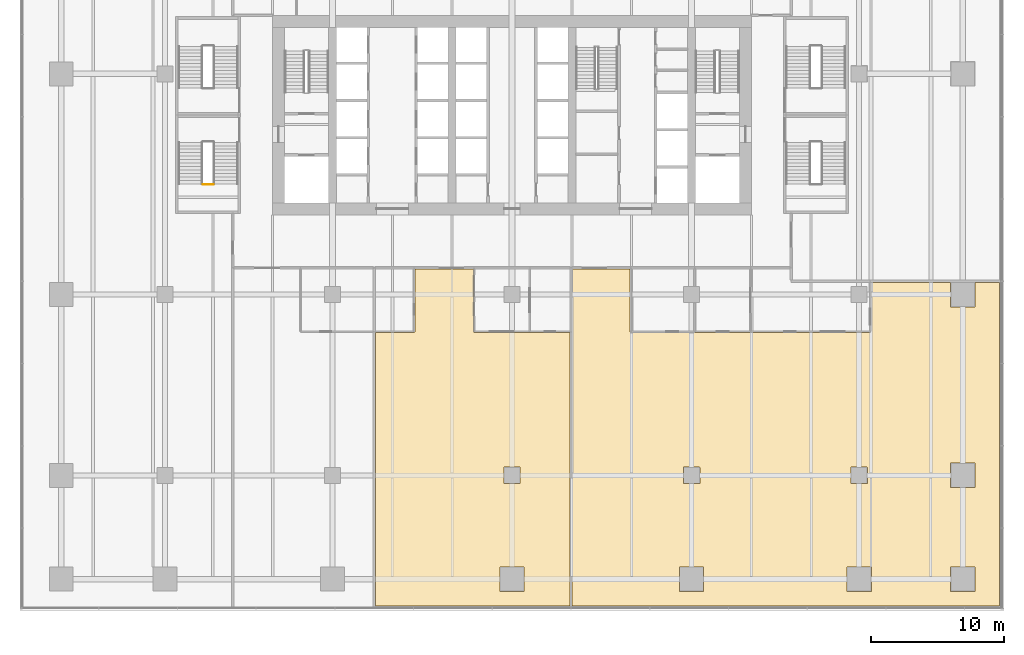
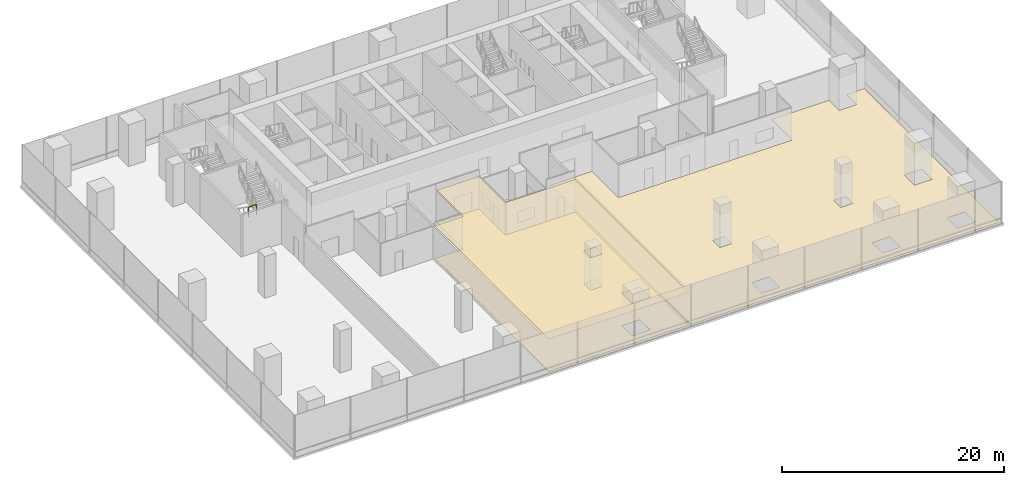
# One storey, part 24 of 29: 3 coverings, 1 railing.
"""IFC4 building model written with IfcOpenShell, lengths in metres."""

from ifc_helpers import new_model, si_unit, direction, frame, origin, origin_2d, place, context, subcontext, project, spatial, polyline, rectangle, outline, extrude, material, layer, layer_set, type_object, element, save


model = new_model("IFC4")

# Units and contexts
model_context = context("Model", 3, precision=1e-05, world=origin(), true_north=direction((0.0, 1.0)))
body_context = subcontext(model_context, "Body", "Model", "MODEL_VIEW")
ifc_project = project(units=[si_unit("LENGTHUNIT", "METRE"), si_unit("AREAUNIT", "SQUARE_METRE"), si_unit("VOLUMEUNIT", "CUBIC_METRE"), si_unit("PLANEANGLEUNIT", "RADIAN"), si_unit("MASSUNIT", "GRAM", prefix="KILO")], contexts=[model_context])

# Site, building, storey
site_placement = place(None, origin())
site = spatial("IfcSite", under=ifc_project, at=site_placement, CompositionType="ELEMENT")
building_placement = place(site_placement, origin())
building = spatial("IfcBuilding", under=site, at=building_placement, Name="Rattan Terrace Tower", CompositionType="ELEMENT")
storey_placement = place(building_placement, frame((0.0, 0.0, 12.60009765625)))
storey = spatial("IfcBuildingStorey", under=building, at=storey_placement, Name="L02", CompositionType="ELEMENT", Elevation=12.60009765625)

# Railing
ifc_material_1 = material(Name="Powder-coated steel guard", Category="steel")
railing_type = type_object("IfcRailingType", Name="Core stair guard", PredefinedType="GUARDRAIL", material=ifc_material_1)
railing_placement = place(storey_placement, frame((-23.25, -5.219970703125, 2.39990234375)))
element("IfcRailing", 1, at=railing_placement, inside=storey, type_object=railing_type, Name="L02 S4 stair guard 2", PredefinedType="GUARDRAIL", context=body_context, shape_type="SweptSolid", body=[
    extrude(rectangle(XDim=0.048095703125, YDim=0.048095703125, at=origin_2d()), frame((0.0, 0.0, 1.076171875), z_axis=(1.0, 0.0, 0.0), x_axis=(0.0, 1.0, 0.0)), (0.0, 0.0, 1.0), 0.800048828125),
    extrude(rectangle(XDim=0.0419921875, YDim=0.0419921875, at=origin_2d()), origin(), (0.0, 0.0, 1.0), 1.052001953125),
    extrude(rectangle(XDim=0.0419921875, YDim=0.0419921875, at=origin_2d()), frame((0.800048828125, 0.0, 0.0)), (0.0, 0.0, 1.0), 1.052001953125),
])

# Coverings
ifc_material_2 = material(Name="Polished limestone", Category="masonry")
ifc_layer_1 = layer(ifc_material_2, 0.02001953125)
ifc_layer_set_1 = layer_set([ifc_layer_1], Name="Lobby Floor Finish Stone 20")
covering_type_1 = type_object("IfcCoveringType", Name="Lobby Floor Finish Stone 20", PredefinedType="FLOORING", material=ifc_layer_set_1)
covering_1_placement = place(storey_placement, origin())
element("IfcCovering", 2, at=covering_1_placement, inside=storey, type_object=covering_type_1, Name="Floor finish L02-112", PredefinedType="FLOORING", context=body_context, shape_type="SweptSolid", body=[
    extrude(outline(polyline([(-10.27001953125, -16.35009765625), (-10.27001953125, -36.909912109375), (4.35009765625, -36.909912109375), (4.35009765625, -16.35009765625), (-2.860107421875, -16.35009765625), (-2.860107421875, -16.300048828125), (-2.909912109375, -16.300048828125), (-2.909912109375, -11.574951171875), (-7.31005859375, -11.574951171875), (-7.31005859375, -16.300048828125), (-7.360107421875, -16.300048828125), (-7.360107421875, -16.35009765625), (-10.27001953125, -16.35009765625)]), holes=[polyline([(-0.9140625, -33.986083984375), (-0.916015625, -33.987060546875), (-0.9169921875, -33.989013671875), (-0.91796875, -33.989990234375), (-0.9189453125, -33.991943359375), (-0.9189453125, -33.993896484375), (-0.919921875, -33.99609375), (-0.919921875, -33.998046875), (-0.919921875, -34.0), (-0.919921875, -35.800048828125), (-0.919921875, -35.802001953125), (-0.919921875, -35.803955078125), (-0.9189453125, -35.805908203125), (-0.9189453125, -35.80810546875), (-0.91796875, -35.81005859375), (-0.9169921875, -35.81103515625), (-0.916015625, -35.81298828125), (-0.9140625, -35.81396484375), (-0.9130859375, -35.81591796875), (-0.910888671875, -35.81689453125), (-0.909912109375, -35.818115234375), (-0.907958984375, -35.819091796875), (-0.906005859375, -35.819091796875), (-0.904052734375, -35.820068359375), (-0.902099609375, -35.820068359375), (-0.89990234375, -35.820068359375), (0.89990234375, -35.820068359375), (0.902099609375, -35.820068359375), (0.904052734375, -35.820068359375), (0.906005859375, -35.819091796875), (0.907958984375, -35.819091796875), (0.909912109375, -35.818115234375), (0.910888671875, -35.81689453125), (0.9130859375, -35.81591796875), (0.9140625, -35.81396484375), (0.916015625, -35.81298828125), (0.9169921875, -35.81103515625), (0.91796875, -35.81005859375), (0.9189453125, -35.80810546875), (0.9189453125, -35.805908203125), (0.919921875, -35.803955078125), (0.919921875, -35.802001953125), (0.919921875, -35.800048828125), (0.919921875, -34.0), (0.919921875, -33.998046875), (0.919921875, -33.99609375), (0.9189453125, -33.993896484375), (0.9189453125, -33.991943359375), (0.91796875, -33.989990234375), (0.9169921875, -33.989013671875), (0.916015625, -33.987060546875), (0.9140625, -33.986083984375), (0.9130859375, -33.98388671875), (0.910888671875, -33.98291015625), (0.909912109375, -33.98193359375), (0.907958984375, -33.98095703125), (0.906005859375, -33.98095703125), (0.904052734375, -33.97998046875), (0.902099609375, -33.97998046875), (0.89990234375, -33.97998046875), (-0.89990234375, -33.97998046875), (-0.902099609375, -33.97998046875), (-0.904052734375, -33.97998046875), (-0.906005859375, -33.98095703125), (-0.907958984375, -33.98095703125), (-0.909912109375, -33.98193359375), (-0.910888671875, -33.98291015625), (-0.9130859375, -33.98388671875), (-0.9140625, -33.986083984375)]), polyline([(-0.60595703125, -26.48095703125), (-0.60791015625, -26.48095703125), (-0.610107421875, -26.48193359375), (-0.611083984375, -26.48291015625), (-0.613037109375, -26.48388671875), (-0.614013671875, -26.486083984375), (-0.615966796875, -26.487060546875), (-0.616943359375, -26.489013671875), (-0.617919921875, -26.489990234375), (-0.618896484375, -26.491943359375), (-0.618896484375, -26.493896484375), (-0.6201171875, -26.49609375), (-0.6201171875, -26.498046875), (-0.6201171875, -26.5), (-0.6201171875, -27.699951171875), (-0.6201171875, -27.701904296875), (-0.6201171875, -27.7041015625), (-0.618896484375, -27.7060546875), (-0.618896484375, -27.7080078125), (-0.617919921875, -27.7099609375), (-0.616943359375, -27.7109375), (-0.615966796875, -27.712890625), (-0.614013671875, -27.714111328125), (-0.613037109375, -27.716064453125), (-0.611083984375, -27.717041015625), (-0.610107421875, -27.718017578125), (-0.60791015625, -27.718994140625), (-0.60595703125, -27.718994140625), (-0.60400390625, -27.719970703125), (-0.60205078125, -27.719970703125), (-0.60009765625, -27.719970703125), (0.60009765625, -27.719970703125), (0.60205078125, -27.719970703125), (0.60400390625, -27.719970703125), (0.60595703125, -27.718994140625), (0.60791015625, -27.718994140625), (0.610107421875, -27.718017578125), (0.611083984375, -27.717041015625), (0.613037109375, -27.716064453125), (0.614013671875, -27.714111328125), (0.615966796875, -27.712890625), (0.616943359375, -27.7109375), (0.617919921875, -27.7099609375), (0.618896484375, -27.7080078125), (0.618896484375, -27.7060546875), (0.6201171875, -27.7041015625), (0.6201171875, -27.701904296875), (0.6201171875, -27.699951171875), (0.6201171875, -26.5), (0.6201171875, -26.498046875), (0.6201171875, -26.49609375), (0.618896484375, -26.493896484375), (0.618896484375, -26.491943359375), (0.617919921875, -26.489990234375), (0.616943359375, -26.489013671875), (0.615966796875, -26.487060546875), (0.614013671875, -26.486083984375), (0.613037109375, -26.48388671875), (0.611083984375, -26.48291015625), (0.610107421875, -26.48193359375), (0.60791015625, -26.48095703125), (0.60595703125, -26.48095703125), (0.60400390625, -26.47998046875), (0.60205078125, -26.47998046875), (0.60009765625, -26.47998046875), (-0.60009765625, -26.47998046875), (-0.60205078125, -26.47998046875), (-0.60400390625, -26.47998046875), (-0.60595703125, -26.48095703125)])]), origin(), (0.0, 0.0, 1.0), 0.02001953125),
])
covering_2_placement = place(storey_placement, origin())
element("IfcCovering", 3, at=covering_2_placement, inside=storey, type_object=covering_type_1, Name="Floor finish L02-116", PredefinedType="FLOORING", context=body_context, shape_type="SweptSolid", body=[
    extrude(outline(polyline([(4.530029296875, -36.909912109375), (36.659912109375, -36.909912109375), (36.659912109375, -12.590087890625), (34.818115234375, -12.590087890625), (34.819091796875, -12.592041015625), (34.819091796875, -12.593994140625), (34.820068359375, -12.595947265625), (34.820068359375, -12.597900390625), (34.820068359375, -12.60009765625), (34.820068359375, -14.39990234375), (34.820068359375, -14.402099609375), (34.820068359375, -14.404052734375), (34.819091796875, -14.406005859375), (34.819091796875, -14.407958984375), (34.818115234375, -14.409912109375), (34.81689453125, -14.410888671875), (34.81591796875, -14.4130859375), (34.81396484375, -14.4140625), (34.81298828125, -14.416015625), (34.81103515625, -14.4169921875), (34.81005859375, -14.41796875), (34.80810546875, -14.4189453125), (34.805908203125, -14.4189453125), (34.803955078125, -14.419921875), (34.802001953125, -14.419921875), (34.800048828125, -14.419921875), (33.0, -14.419921875), (32.998046875, -14.419921875), (32.99609375, -14.419921875), (32.993896484375, -14.4189453125), (32.991943359375, -14.4189453125), (32.989990234375, -14.41796875), (32.989013671875, -14.4169921875), (32.987060546875, -14.416015625), (32.986083984375, -14.4140625), (32.98388671875, -14.4130859375), (32.98291015625, -14.410888671875), (32.98193359375, -14.409912109375), (32.98095703125, -14.407958984375), (32.98095703125, -14.406005859375), (32.97998046875, -14.404052734375), (32.97998046875, -14.402099609375), (32.97998046875, -14.39990234375), (32.97998046875, -12.60009765625), (32.97998046875, -12.597900390625), (32.97998046875, -12.595947265625), (32.98095703125, -12.593994140625), (32.98095703125, -12.592041015625), (32.98193359375, -12.590087890625), (26.989990234375, -12.590087890625), (26.989990234375, -16.300048828125), (26.93994140625, -16.300048828125), (26.93994140625, -16.35009765625), (13.760009765625, -16.35009765625), (13.760009765625, -16.360107421875), (8.93994140625, -16.360107421875), (8.93994140625, -16.300048828125), (8.8798828125, -16.300048828125), (8.8798828125, -11.574951171875), (4.530029296875, -11.574951171875), (4.530029296875, -36.909912109375)]), holes=[polyline([(32.986083984375, -33.986083984375), (32.98388671875, -33.987060546875), (32.98291015625, -33.989013671875), (32.98193359375, -33.989990234375), (32.98095703125, -33.991943359375), (32.98095703125, -33.993896484375), (32.97998046875, -33.99609375), (32.97998046875, -33.998046875), (32.97998046875, -34.0), (32.97998046875, -35.800048828125), (32.97998046875, -35.802001953125), (32.97998046875, -35.803955078125), (32.98095703125, -35.805908203125), (32.98095703125, -35.80810546875), (32.98193359375, -35.81005859375), (32.98291015625, -35.81103515625), (32.98388671875, -35.81298828125), (32.986083984375, -35.81396484375), (32.987060546875, -35.81591796875), (32.989013671875, -35.81689453125), (32.989990234375, -35.818115234375), (32.991943359375, -35.819091796875), (32.993896484375, -35.819091796875), (32.99609375, -35.820068359375), (32.998046875, -35.820068359375), (33.0, -35.820068359375), (34.800048828125, -35.820068359375), (34.802001953125, -35.820068359375), (34.803955078125, -35.820068359375), (34.805908203125, -35.819091796875), (34.80810546875, -35.819091796875), (34.81005859375, -35.818115234375), (34.81103515625, -35.81689453125), (34.81298828125, -35.81591796875), (34.81396484375, -35.81396484375), (34.81591796875, -35.81298828125), (34.81689453125, -35.81103515625), (34.818115234375, -35.81005859375), (34.819091796875, -35.80810546875), (34.819091796875, -35.805908203125), (34.820068359375, -35.803955078125), (34.820068359375, -35.802001953125), (34.820068359375, -35.800048828125), (34.820068359375, -34.0), (34.820068359375, -33.998046875), (34.820068359375, -33.99609375), (34.819091796875, -33.993896484375), (34.819091796875, -33.991943359375), (34.818115234375, -33.989990234375), (34.81689453125, -33.989013671875), (34.81591796875, -33.987060546875), (34.81396484375, -33.986083984375), (34.81298828125, -33.98388671875), (34.81103515625, -33.98291015625), (34.81005859375, -33.98193359375), (34.80810546875, -33.98095703125), (34.805908203125, -33.98095703125), (34.803955078125, -33.97998046875), (34.802001953125, -33.97998046875), (34.800048828125, -33.97998046875), (33.0, -33.97998046875), (32.998046875, -33.97998046875), (32.99609375, -33.97998046875), (32.993896484375, -33.98095703125), (32.991943359375, -33.98095703125), (32.989990234375, -33.98193359375), (32.989013671875, -33.98291015625), (32.987060546875, -33.98388671875), (32.986083984375, -33.986083984375)]), polyline([(32.98193359375, -28.010009765625), (32.98291015625, -28.010986328125), (32.98388671875, -28.012939453125), (32.986083984375, -28.013916015625), (32.987060546875, -28.01611328125), (32.989013671875, -28.01708984375), (32.989990234375, -28.01806640625), (32.991943359375, -28.01904296875), (32.993896484375, -28.01904296875), (32.99609375, -28.02001953125), (32.998046875, -28.02001953125), (33.0, -28.02001953125), (34.800048828125, -28.02001953125), (34.802001953125, -28.02001953125), (34.803955078125, -28.02001953125), (34.805908203125, -28.01904296875), (34.80810546875, -28.01904296875), (34.81005859375, -28.01806640625), (34.81103515625, -28.01708984375), (34.81298828125, -28.01611328125), (34.81396484375, -28.013916015625), (34.81591796875, -28.012939453125), (34.81689453125, -28.010986328125), (34.818115234375, -28.010009765625), (34.819091796875, -28.008056640625), (34.819091796875, -28.006103515625), (34.820068359375, -28.00390625), (34.820068359375, -28.001953125), (34.820068359375, -28.0), (34.820068359375, -26.199951171875), (34.820068359375, -26.197998046875), (34.820068359375, -26.196044921875), (34.819091796875, -26.194091796875), (34.819091796875, -26.19189453125), (34.818115234375, -26.18994140625), (34.81689453125, -26.18896484375), (34.81591796875, -26.18701171875), (34.81396484375, -26.18603515625), (34.81298828125, -26.18408203125), (34.81103515625, -26.18310546875), (34.81005859375, -26.181884765625), (34.80810546875, -26.180908203125), (34.805908203125, -26.180908203125), (34.803955078125, -26.179931640625), (34.802001953125, -26.179931640625), (34.800048828125, -26.179931640625), (33.0, -26.179931640625), (32.998046875, -26.179931640625), (32.99609375, -26.179931640625), (32.993896484375, -26.180908203125), (32.991943359375, -26.180908203125), (32.989990234375, -26.181884765625), (32.989013671875, -26.18310546875), (32.987060546875, -26.18408203125), (32.986083984375, -26.18603515625), (32.98388671875, -26.18701171875), (32.98291015625, -26.18896484375), (32.98193359375, -26.18994140625), (32.98095703125, -26.19189453125), (32.98095703125, -26.194091796875), (32.97998046875, -26.196044921875), (32.97998046875, -26.197998046875), (32.97998046875, -26.199951171875), (32.97998046875, -28.0), (32.97998046875, -28.001953125), (32.97998046875, -28.00390625), (32.98095703125, -28.006103515625), (32.98095703125, -28.008056640625), (32.98193359375, -28.010009765625)]), polyline([(25.18603515625, -33.986083984375), (25.18408203125, -33.987060546875), (25.18310546875, -33.989013671875), (25.181884765625, -33.989990234375), (25.180908203125, -33.991943359375), (25.180908203125, -33.993896484375), (25.179931640625, -33.99609375), (25.179931640625, -33.998046875), (25.179931640625, -34.0), (25.179931640625, -35.800048828125), (25.179931640625, -35.802001953125), (25.179931640625, -35.803955078125), (25.180908203125, -35.805908203125), (25.180908203125, -35.80810546875), (25.181884765625, -35.81005859375), (25.18310546875, -35.81103515625), (25.18408203125, -35.81298828125), (25.18603515625, -35.81396484375), (25.18701171875, -35.81591796875), (25.18896484375, -35.81689453125), (25.18994140625, -35.818115234375), (25.19189453125, -35.819091796875), (25.194091796875, -35.819091796875), (25.196044921875, -35.820068359375), (25.197998046875, -35.820068359375), (25.199951171875, -35.820068359375), (27.0, -35.820068359375), (27.001953125, -35.820068359375), (27.00390625, -35.820068359375), (27.006103515625, -35.819091796875), (27.008056640625, -35.819091796875), (27.010009765625, -35.818115234375), (27.010986328125, -35.81689453125), (27.012939453125, -35.81591796875), (27.013916015625, -35.81396484375), (27.01611328125, -35.81298828125), (27.01708984375, -35.81103515625), (27.01806640625, -35.81005859375), (27.01904296875, -35.80810546875), (27.01904296875, -35.805908203125), (27.02001953125, -35.803955078125), (27.02001953125, -35.802001953125), (27.02001953125, -35.800048828125), (27.02001953125, -34.0), (27.02001953125, -33.998046875), (27.02001953125, -33.99609375), (27.01904296875, -33.993896484375), (27.01904296875, -33.991943359375), (27.01806640625, -33.989990234375), (27.01708984375, -33.989013671875), (27.01611328125, -33.987060546875), (27.013916015625, -33.986083984375), (27.012939453125, -33.98388671875), (27.010986328125, -33.98291015625), (27.010009765625, -33.98193359375), (27.008056640625, -33.98095703125), (27.006103515625, -33.98095703125), (27.00390625, -33.97998046875), (27.001953125, -33.97998046875), (27.0, -33.97998046875), (25.199951171875, -33.97998046875), (25.197998046875, -33.97998046875), (25.196044921875, -33.97998046875), (25.194091796875, -33.98095703125), (25.19189453125, -33.98095703125), (25.18994140625, -33.98193359375), (25.18896484375, -33.98291015625), (25.18701171875, -33.98388671875), (25.18603515625, -33.986083984375)]), polyline([(25.493896484375, -26.48095703125), (25.491943359375, -26.48095703125), (25.489990234375, -26.48193359375), (25.489013671875, -26.48291015625), (25.487060546875, -26.48388671875), (25.486083984375, -26.486083984375), (25.48388671875, -26.487060546875), (25.48291015625, -26.489013671875), (25.48193359375, -26.489990234375), (25.48095703125, -26.491943359375), (25.48095703125, -26.493896484375), (25.47998046875, -26.49609375), (25.47998046875, -26.498046875), (25.47998046875, -26.5), (25.47998046875, -27.699951171875), (25.47998046875, -27.701904296875), (25.47998046875, -27.7041015625), (25.48095703125, -27.7060546875), (25.48095703125, -27.7080078125), (25.48193359375, -27.7099609375), (25.48291015625, -27.7109375), (25.48388671875, -27.712890625), (25.486083984375, -27.714111328125), (25.487060546875, -27.716064453125), (25.489013671875, -27.717041015625), (25.489990234375, -27.718017578125), (25.491943359375, -27.718994140625), (25.493896484375, -27.718994140625), (25.49609375, -27.719970703125), (25.498046875, -27.719970703125), (25.5, -27.719970703125), (26.699951171875, -27.719970703125), (26.701904296875, -27.719970703125), (26.7041015625, -27.719970703125), (26.7060546875, -27.718994140625), (26.7080078125, -27.718994140625), (26.7099609375, -27.718017578125), (26.7109375, -27.717041015625), (26.712890625, -27.716064453125), (26.714111328125, -27.714111328125), (26.716064453125, -27.712890625), (26.717041015625, -27.7109375), (26.718017578125, -27.7099609375), (26.718994140625, -27.7080078125), (26.718994140625, -27.7060546875), (26.719970703125, -27.7041015625), (26.719970703125, -27.701904296875), (26.719970703125, -27.699951171875), (26.719970703125, -26.5), (26.719970703125, -26.498046875), (26.719970703125, -26.49609375), (26.718994140625, -26.493896484375), (26.718994140625, -26.491943359375), (26.718017578125, -26.489990234375), (26.717041015625, -26.489013671875), (26.716064453125, -26.487060546875), (26.714111328125, -26.486083984375), (26.712890625, -26.48388671875), (26.7109375, -26.48291015625), (26.7099609375, -26.48193359375), (26.7080078125, -26.48095703125), (26.7060546875, -26.48095703125), (26.7041015625, -26.47998046875), (26.701904296875, -26.47998046875), (26.699951171875, -26.47998046875), (25.5, -26.47998046875), (25.498046875, -26.47998046875), (25.49609375, -26.47998046875), (25.493896484375, -26.48095703125)]), polyline([(12.5869140625, -33.98388671875), (12.5859375, -33.986083984375), (12.583984375, -33.987060546875), (12.5830078125, -33.989013671875), (12.58203125, -33.989990234375), (12.5810546875, -33.991943359375), (12.5810546875, -33.993896484375), (12.580078125, -33.99609375), (12.580078125, -33.998046875), (12.580078125, -34.0), (12.580078125, -35.800048828125), (12.580078125, -35.802001953125), (12.580078125, -35.803955078125), (12.5810546875, -35.805908203125), (12.5810546875, -35.80810546875), (12.58203125, -35.81005859375), (12.5830078125, -35.81103515625), (12.583984375, -35.81298828125), (12.5859375, -35.81396484375), (12.5869140625, -35.81591796875), (12.589111328125, -35.81689453125), (12.590087890625, -35.818115234375), (12.592041015625, -35.819091796875), (12.593994140625, -35.819091796875), (12.595947265625, -35.820068359375), (12.597900390625, -35.820068359375), (12.60009765625, -35.820068359375), (14.39990234375, -35.820068359375), (14.402099609375, -35.820068359375), (14.404052734375, -35.820068359375), (14.406005859375, -35.819091796875), (14.407958984375, -35.819091796875), (14.409912109375, -35.818115234375), (14.410888671875, -35.81689453125), (14.4130859375, -35.81591796875), (14.4140625, -35.81396484375), (14.416015625, -35.81298828125), (14.4169921875, -35.81103515625), (14.41796875, -35.81005859375), (14.4189453125, -35.80810546875), (14.4189453125, -35.805908203125), (14.419921875, -35.803955078125), (14.419921875, -35.802001953125), (14.419921875, -35.800048828125), (14.419921875, -34.0), (14.419921875, -33.998046875), (14.419921875, -33.99609375), (14.4189453125, -33.993896484375), (14.4189453125, -33.991943359375), (14.41796875, -33.989990234375), (14.4169921875, -33.989013671875), (14.416015625, -33.987060546875), (14.4140625, -33.986083984375), (14.4130859375, -33.98388671875), (14.410888671875, -33.98291015625), (14.409912109375, -33.98193359375), (14.407958984375, -33.98095703125), (14.406005859375, -33.98095703125), (14.404052734375, -33.97998046875), (14.402099609375, -33.97998046875), (14.39990234375, -33.97998046875), (12.60009765625, -33.97998046875), (12.597900390625, -33.97998046875), (12.595947265625, -33.97998046875), (12.593994140625, -33.98095703125), (12.592041015625, -33.98095703125), (12.590087890625, -33.98193359375), (12.589111328125, -33.98291015625), (12.5869140625, -33.98388671875)]), polyline([(12.89404296875, -26.48095703125), (12.89208984375, -26.48095703125), (12.889892578125, -26.48193359375), (12.888916015625, -26.48291015625), (12.886962890625, -26.48388671875), (12.885986328125, -26.486083984375), (12.884033203125, -26.487060546875), (12.883056640625, -26.489013671875), (12.882080078125, -26.489990234375), (12.881103515625, -26.491943359375), (12.881103515625, -26.493896484375), (12.8798828125, -26.49609375), (12.8798828125, -26.498046875), (12.8798828125, -26.5), (12.8798828125, -27.699951171875), (12.8798828125, -27.701904296875), (12.8798828125, -27.7041015625), (12.881103515625, -27.7060546875), (12.881103515625, -27.7080078125), (12.882080078125, -27.7099609375), (12.883056640625, -27.7109375), (12.884033203125, -27.712890625), (12.885986328125, -27.714111328125), (12.886962890625, -27.716064453125), (12.888916015625, -27.717041015625), (12.889892578125, -27.718017578125), (12.89208984375, -27.718994140625), (12.89404296875, -27.718994140625), (12.89599609375, -27.719970703125), (12.89794921875, -27.719970703125), (12.89990234375, -27.719970703125), (14.10009765625, -27.719970703125), (14.10205078125, -27.719970703125), (14.10400390625, -27.719970703125), (14.10595703125, -27.718994140625), (14.10791015625, -27.718994140625), (14.110107421875, -27.718017578125), (14.111083984375, -27.717041015625), (14.113037109375, -27.716064453125), (14.114013671875, -27.714111328125), (14.115966796875, -27.712890625), (14.116943359375, -27.7109375), (14.117919921875, -27.7099609375), (14.118896484375, -27.7080078125), (14.118896484375, -27.7060546875), (14.1201171875, -27.7041015625), (14.1201171875, -27.701904296875), (14.1201171875, -27.699951171875), (14.1201171875, -26.5), (14.1201171875, -26.498046875), (14.1201171875, -26.49609375), (14.118896484375, -26.493896484375), (14.118896484375, -26.491943359375), (14.117919921875, -26.489990234375), (14.116943359375, -26.489013671875), (14.115966796875, -26.487060546875), (14.114013671875, -26.486083984375), (14.113037109375, -26.48388671875), (14.111083984375, -26.48291015625), (14.110107421875, -26.48193359375), (14.10791015625, -26.48095703125), (14.10595703125, -26.48095703125), (14.10400390625, -26.47998046875), (14.10205078125, -26.47998046875), (14.10009765625, -26.47998046875), (12.89990234375, -26.47998046875), (12.89794921875, -26.47998046875), (12.89599609375, -26.47998046875), (12.89404296875, -26.48095703125)])]), origin(), (0.0, 0.0, 1.0), 0.02001953125),
])
ifc_material_3 = material(Name="Gypsum board, painted")
ifc_layer_2 = layer(ifc_material_3, 0.02490234375)
ifc_layer_set_2 = layer_set([ifc_layer_2], Name="Suspended Ceiling Gypsum 25")
covering_type_2 = type_object("IfcCoveringType", Name="Suspended Ceiling Gypsum 25", PredefinedType="CEILING", material=ifc_layer_set_2)
covering_3_placement = place(storey_placement, frame((0.0, 0.0, 3.574951171875)))
element("IfcCovering", 4, at=covering_3_placement, inside=storey, type_object=covering_type_2, Name="Ceiling L02-112", PredefinedType="CEILING", context=body_context, shape_type="SweptSolid", body=[
    extrude(outline(polyline([(-10.27001953125, -16.35009765625), (-10.27001953125, -36.909912109375), (4.35009765625, -36.909912109375), (4.35009765625, -16.35009765625), (-2.860107421875, -16.35009765625), (-2.860107421875, -16.300048828125), (-2.909912109375, -16.300048828125), (-2.909912109375, -11.574951171875), (-7.31005859375, -11.574951171875), (-7.31005859375, -16.300048828125), (-7.360107421875, -16.300048828125), (-7.360107421875, -16.35009765625), (-10.27001953125, -16.35009765625)]), holes=[polyline([(-0.9140625, -33.986083984375), (-0.916015625, -33.987060546875), (-0.9169921875, -33.989013671875), (-0.91796875, -33.989990234375), (-0.9189453125, -33.991943359375), (-0.9189453125, -33.993896484375), (-0.919921875, -33.99609375), (-0.919921875, -33.998046875), (-0.919921875, -34.0), (-0.919921875, -35.800048828125), (-0.919921875, -35.802001953125), (-0.919921875, -35.803955078125), (-0.9189453125, -35.805908203125), (-0.9189453125, -35.80810546875), (-0.91796875, -35.81005859375), (-0.9169921875, -35.81103515625), (-0.916015625, -35.81298828125), (-0.9140625, -35.81396484375), (-0.9130859375, -35.81591796875), (-0.910888671875, -35.81689453125), (-0.909912109375, -35.818115234375), (-0.907958984375, -35.819091796875), (-0.906005859375, -35.819091796875), (-0.904052734375, -35.820068359375), (-0.902099609375, -35.820068359375), (-0.89990234375, -35.820068359375), (0.89990234375, -35.820068359375), (0.902099609375, -35.820068359375), (0.904052734375, -35.820068359375), (0.906005859375, -35.819091796875), (0.907958984375, -35.819091796875), (0.909912109375, -35.818115234375), (0.910888671875, -35.81689453125), (0.9130859375, -35.81591796875), (0.9140625, -35.81396484375), (0.916015625, -35.81298828125), (0.9169921875, -35.81103515625), (0.91796875, -35.81005859375), (0.9189453125, -35.80810546875), (0.9189453125, -35.805908203125), (0.919921875, -35.803955078125), (0.919921875, -35.802001953125), (0.919921875, -35.800048828125), (0.919921875, -34.0), (0.919921875, -33.998046875), (0.919921875, -33.99609375), (0.9189453125, -33.993896484375), (0.9189453125, -33.991943359375), (0.91796875, -33.989990234375), (0.9169921875, -33.989013671875), (0.916015625, -33.987060546875), (0.9140625, -33.986083984375), (0.9130859375, -33.98388671875), (0.910888671875, -33.98291015625), (0.909912109375, -33.98193359375), (0.907958984375, -33.98095703125), (0.906005859375, -33.98095703125), (0.904052734375, -33.97998046875), (0.902099609375, -33.97998046875), (0.89990234375, -33.97998046875), (-0.89990234375, -33.97998046875), (-0.902099609375, -33.97998046875), (-0.904052734375, -33.97998046875), (-0.906005859375, -33.98095703125), (-0.907958984375, -33.98095703125), (-0.909912109375, -33.98193359375), (-0.910888671875, -33.98291015625), (-0.9130859375, -33.98388671875), (-0.9140625, -33.986083984375)]), polyline([(-0.60595703125, -26.48095703125), (-0.60791015625, -26.48095703125), (-0.610107421875, -26.48193359375), (-0.611083984375, -26.48291015625), (-0.613037109375, -26.48388671875), (-0.614013671875, -26.486083984375), (-0.615966796875, -26.487060546875), (-0.616943359375, -26.489013671875), (-0.617919921875, -26.489990234375), (-0.618896484375, -26.491943359375), (-0.618896484375, -26.493896484375), (-0.6201171875, -26.49609375), (-0.6201171875, -26.498046875), (-0.6201171875, -26.5), (-0.6201171875, -27.699951171875), (-0.6201171875, -27.701904296875), (-0.6201171875, -27.7041015625), (-0.618896484375, -27.7060546875), (-0.618896484375, -27.7080078125), (-0.617919921875, -27.7099609375), (-0.616943359375, -27.7109375), (-0.615966796875, -27.712890625), (-0.614013671875, -27.714111328125), (-0.613037109375, -27.716064453125), (-0.611083984375, -27.717041015625), (-0.610107421875, -27.718017578125), (-0.60791015625, -27.718994140625), (-0.60595703125, -27.718994140625), (-0.60400390625, -27.719970703125), (-0.60205078125, -27.719970703125), (-0.60009765625, -27.719970703125), (0.60009765625, -27.719970703125), (0.60205078125, -27.719970703125), (0.60400390625, -27.719970703125), (0.60595703125, -27.718994140625), (0.60791015625, -27.718994140625), (0.610107421875, -27.718017578125), (0.611083984375, -27.717041015625), (0.613037109375, -27.716064453125), (0.614013671875, -27.714111328125), (0.615966796875, -27.712890625), (0.616943359375, -27.7109375), (0.617919921875, -27.7099609375), (0.618896484375, -27.7080078125), (0.618896484375, -27.7060546875), (0.6201171875, -27.7041015625), (0.6201171875, -27.701904296875), (0.6201171875, -27.699951171875), (0.6201171875, -26.5), (0.6201171875, -26.498046875), (0.6201171875, -26.49609375), (0.618896484375, -26.493896484375), (0.618896484375, -26.491943359375), (0.617919921875, -26.489990234375), (0.616943359375, -26.489013671875), (0.615966796875, -26.487060546875), (0.614013671875, -26.486083984375), (0.613037109375, -26.48388671875), (0.611083984375, -26.48291015625), (0.610107421875, -26.48193359375), (0.60791015625, -26.48095703125), (0.60595703125, -26.48095703125), (0.60400390625, -26.47998046875), (0.60205078125, -26.47998046875), (0.60009765625, -26.47998046875), (-0.60009765625, -26.47998046875), (-0.60205078125, -26.47998046875), (-0.60400390625, -26.47998046875), (-0.60595703125, -26.48095703125)])]), origin(), (0.0, 0.0, 1.0), 0.02490234375),
])

save(model, "model.ifc")
